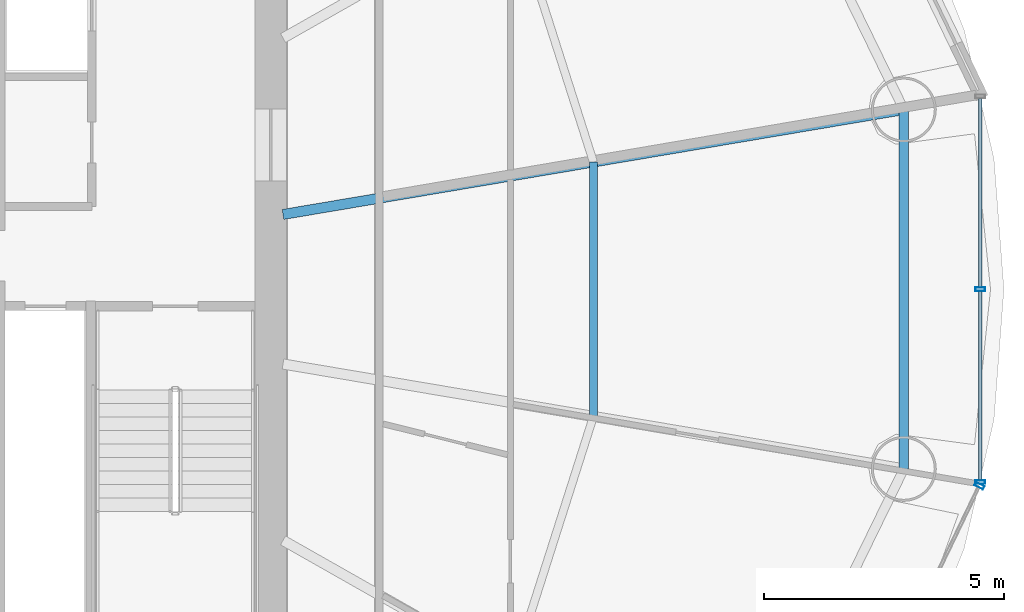
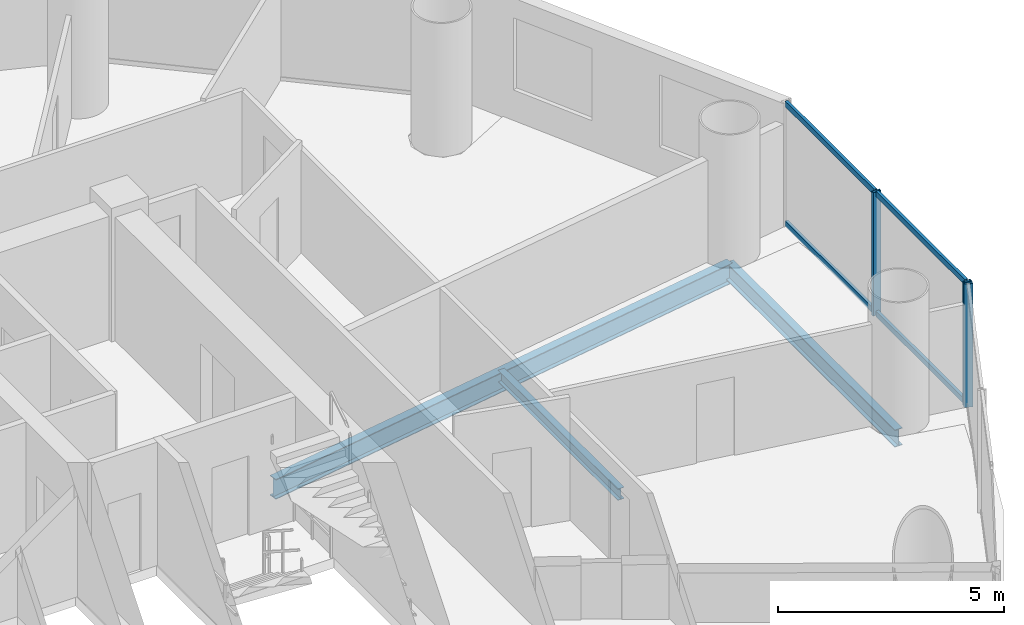
# One storey, part 12 of 26: 7 members, 3 beams, 2 elements without a shape of their own.
"""IFC4 building model written with IfcOpenShell, lengths in metres."""

from ifc_helpers import new_model, si_unit, direction, frame, origin, origin_2d, place, context, subcontext, project, spatial, hollow_rectangle, i_section, extrude, source, transform, mapped, material, material_profile, profile_set, type_object, element, aggregate, save


model = new_model("IFC4")

# Units and contexts
model_context = context("Model", 3, precision=1e-05, world=origin(), true_north=direction((-0.2419218956, 0.970295726276)))
body_context = subcontext(model_context, "Body", "Model", "MODEL_VIEW")
ifc_project = project(units=[si_unit("LENGTHUNIT", "METRE"), si_unit("AREAUNIT", "SQUARE_METRE"), si_unit("VOLUMEUNIT", "CUBIC_METRE"), si_unit("PLANEANGLEUNIT", "RADIAN"), si_unit("MASSUNIT", "GRAM", prefix="KILO")], contexts=[model_context])

# Site, building, storey
site_placement = place(None, origin())
site = spatial("IfcSite", under=ifc_project, at=site_placement, CompositionType="ELEMENT")
building_placement = place(site_placement, origin())
building = spatial("IfcBuilding", under=site, at=building_placement, Name="Cobrevalo Terracotta Tower", CompositionType="ELEMENT")
storey_placement = place(building_placement, frame((0.0, 0.0, 135.39990234375)))
storey = spatial("IfcBuildingStorey", under=building, at=storey_placement, Name="L35", CompositionType="ELEMENT", Elevation=135.39990234375)

# Beams
ifc_material_1 = material(Name="Steel S355", Category="steel")
ifc_material_profile_1 = material_profile(ifc_material_1, i_section(OverallWidth=0.2109375, OverallDepth=0.5390625, WebThickness=0.01171875, FlangeThickness=0.018798828125, at=origin_2d()), Name="W 530x109")
ifc_profile_set_1 = profile_set([ifc_material_profile_1], Name="Steel S355")
beam_type_1 = type_object("IfcBeamType", Name="Structural Beam W 530x109 (Steel S355)", PredefinedType="BEAM", material=ifc_profile_set_1)
beam_1_placement = place(storey_placement, frame((60.11669921875, 30.535888671875, -0.539306640625), z_axis=(-0.986032794282, -0.166551279191, 0.0), x_axis=(0.166551279191, -0.986032794282, 0.0)))
element("IfcBeam", 1, at=beam_1_placement, inside=storey, type_object=beam_type_1, Name="L35 radial floor girder 01", PredefinedType="BEAM", context=body_context, shape_type="SweptSolid", body=[
    extrude(i_section(OverallWidth=0.2109375, OverallDepth=0.5390625, WebThickness=0.01171875, FlangeThickness=0.018798828125, at=origin_2d()), origin(), (0.0, 0.0, 1.0), 13.094482421875),
])
ifc_material_profile_2 = material_profile(ifc_material_1, i_section(OverallWidth=0.1650390625, OverallDepth=0.31005859375, WebThickness=0.005859375, FlangeThickness=0.009765625, at=origin_2d()), Name="W 310x38.7")
ifc_profile_set_2 = profile_set([ifc_material_profile_2], Name="Steel S355")
beam_type_2 = type_object("IfcBeamType", Name="Structural Joist W 310x38.7 (Steel S355)", PredefinedType="JOIST", material=ifc_profile_set_2)
beam_2_placement = place(storey_placement, frame((53.660888671875, 24.154541015625, -0.4248046875), z_axis=(0.0, 1.0, 0.0), x_axis=(-1.0, 0.0, 0.0)))
element("IfcBeam", 2, at=beam_2_placement, inside=storey, type_object=beam_type_2, Name="L35 circumferential secondary floor joist 16", PredefinedType="JOIST", context=body_context, shape_type="SweptSolid", body=[
    extrude(i_section(OverallWidth=0.1650390625, OverallDepth=0.31005859375, WebThickness=0.005859375, FlangeThickness=0.009765625, at=origin_2d()), origin(), (0.0, 0.0, 1.0), 5.291015625),
])
ifc_material_profile_3 = material_profile(ifc_material_1, i_section(OverallWidth=0.194091796875, OverallDepth=0.468994140625, WebThickness=0.011474609375, FlangeThickness=0.0205078125, at=origin_2d()), Name="W 460x106")
ifc_profile_set_3 = profile_set([ifc_material_profile_3], Name="Steel S355")
beam_type_3 = type_object("IfcBeamType", Name="Structural Spandrel W 460x106 (Steel S355)", PredefinedType="SPANDREL", material=ifc_profile_set_3)
beam_3_placement = place(storey_placement, frame((60.11669921875, 23.06396484375, -0.50439453125), z_axis=(0.0, 1.0, 0.0), x_axis=(-1.0, 0.0, 0.0)))
element("IfcBeam", 3, at=beam_3_placement, inside=storey, type_object=beam_type_3, Name="L35 perimeter ring spandrel 16", PredefinedType="SPANDREL", context=body_context, shape_type="SweptSolid", body=[
    extrude(i_section(OverallWidth=0.194091796875, OverallDepth=0.468994140625, WebThickness=0.011474609375, FlangeThickness=0.0205078125, at=origin_2d()), origin(), (0.0, 0.0, 1.0), 7.471923828125),
])

# Curtain wall, member
ifc_material_2 = material(Name="Anodized aluminium", Category="aluminium")
curtain_wall_type = type_object("IfcCurtainWallType", Name="Mid-tower high-wind unitised curtain wall CW-U2", PredefinedType="NOTDEFINED", material=ifc_material_2)
curtain_wall_1_placement = place(storey_placement, origin())
curtain_wall_1 = element("IfcCurtainWall", 4, at=curtain_wall_1_placement, inside=storey, type_object=curtain_wall_type, Name="L35 curtain wall CW-L35-S15", PredefinedType="NOTDEFINED")
ifc_material_profile_4 = material_profile(ifc_material_2, hollow_rectangle(XDim=0.074951171875, YDim=0.199951171875, WallThickness=0.0048828125, at=origin_2d()), Name="CWM 75x200")
ifc_profile_set_4 = profile_set([ifc_material_profile_4], Name="Anodized aluminium")
member_type_1 = type_object("IfcMemberType", Name="Lower/mid tower unitised mullion 75x200", PredefinedType="MULLION", material=ifc_profile_set_4)
shared_shape_1 = source(origin(), body_context, "Body", "SweptSolid", [
    extrude(hollow_rectangle(XDim=0.074951171875, YDim=0.199951171875, WallThickness=0.0048828125, at=origin_2d()), origin(), (0.0, 0.0, 1.0), 3.330078125),
])
member_1_placement = place(storey_placement, frame((61.688232421875, 22.7119140625, 0.0), z_axis=(0.0, 0.0, 1.0), x_axis=(0.434209440271, 0.900811945957, 0.0)))
member_1 = element("IfcMember", 5, at=member_1_placement, type_object=member_type_1, Name="CW-L35-S15 vertical mullion 03", PredefinedType="MULLION", context=body_context, shape_type="MappedRepresentation", body=[
    mapped(shared_shape_1, transform((0.0, 0.0, 0.0), scale=1.0)),
])
aggregate(curtain_wall_1, [member_1])

# Curtain wall, members
curtain_wall_2_placement = place(storey_placement, origin())
curtain_wall_2 = element("IfcCurtainWall", 6, at=curtain_wall_2_placement, inside=storey, type_object=curtain_wall_type, Name="L35 curtain wall CW-L35-S16", PredefinedType="NOTDEFINED")
member_2_placement = place(storey_placement, frame((61.70556640625, 22.7880859375, 0.0), z_axis=(0.0, 0.0, 1.0), x_axis=(0.0, 1.0, 0.0)))
member_2 = element("IfcMember", 7, at=member_2_placement, type_object=member_type_1, Name="CW-L35-S16 vertical mullion 01", PredefinedType="MULLION", context=body_context, shape_type="MappedRepresentation", body=[
    mapped(shared_shape_1, transform((0.0, 0.0, 0.0), scale=1.0)),
])
member_3_placement = place(storey_placement, frame((61.70556640625, 26.800048828125, 0.0), z_axis=(0.0, 0.0, 1.0), x_axis=(0.0, 1.0, 0.0)))
member_3 = element("IfcMember", 8, at=member_3_placement, type_object=member_type_1, Name="CW-L35-S16 vertical mullion 02", PredefinedType="MULLION", context=body_context, shape_type="MappedRepresentation", body=[
    mapped(shared_shape_1, transform((0.0, 0.0, 0.0), scale=1.0)),
])
ifc_material_profile_5 = material_profile(ifc_material_2, hollow_rectangle(XDim=0.074951171875, YDim=0.14990234375, WallThickness=0.00439453125, at=origin_2d()), Name="CWT 75x150")
ifc_profile_set_5 = profile_set([ifc_material_profile_5], Name="Anodized aluminium")
member_type_2 = type_object("IfcMemberType", Name="Tower unitised aluminium transom 75x150", PredefinedType="USERDEFINED", material=ifc_profile_set_5)
shared_shape_2 = source(origin(), body_context, "Body", "SweptSolid", [
    extrude(hollow_rectangle(XDim=0.074951171875, YDim=0.14990234375, WallThickness=0.00439453125, at=origin_2d()), origin(), (0.0, 0.0, 1.0), 3.931884765625),
])
member_4_placement = place(storey_placement, frame((61.70556640625, 26.840087890625, 0.050048828125), z_axis=(0.0, 1.0, 0.0), x_axis=(-1.0, 0.0, 0.0)))
member_4 = element("IfcMember", 9, at=member_4_placement, type_object=member_type_2, Name="CW-L35-S16 transom B02-T1", ObjectType="TRANSOM", PredefinedType="USERDEFINED", context=body_context, shape_type="MappedRepresentation", body=[
    mapped(shared_shape_2, transform((0.0, 0.0, 0.0), scale=1.0)),
])
member_5_placement = place(storey_placement, frame((61.70556640625, 26.840087890625, 3.280029296875), z_axis=(0.0, 1.0, 0.0), x_axis=(-1.0, 0.0, 0.0)))
member_5 = element("IfcMember", 10, at=member_5_placement, type_object=member_type_2, Name="CW-L35-S16 transom B02-T2", ObjectType="TRANSOM", PredefinedType="USERDEFINED", context=body_context, shape_type="MappedRepresentation", body=[
    mapped(shared_shape_2, transform((0.0, 0.0, 0.0), scale=1.0)),
])
shared_shape_3 = source(origin(), body_context, "Body", "SweptSolid", [
    extrude(hollow_rectangle(XDim=0.074951171875, YDim=0.14990234375, WallThickness=0.00439453125, at=origin_2d()), origin(), (0.0, 0.0, 1.0), 3.93212890625),
])
member_6_placement = place(storey_placement, frame((61.70556640625, 22.827880859375, 0.050048828125), z_axis=(0.0, 1.0, 0.0), x_axis=(-1.0, 0.0, 0.0)))
member_6 = element("IfcMember", 11, at=member_6_placement, type_object=member_type_2, Name="CW-L35-S16 transom B01-T1", ObjectType="TRANSOM", PredefinedType="USERDEFINED", context=body_context, shape_type="MappedRepresentation", body=[
    mapped(shared_shape_3, transform((0.0, 0.0, 0.0), scale=1.0)),
])
member_7_placement = place(storey_placement, frame((61.70556640625, 22.827880859375, 3.280029296875), z_axis=(0.0, 1.0, 0.0), x_axis=(-1.0, 0.0, 0.0)))
member_7 = element("IfcMember", 12, at=member_7_placement, type_object=member_type_2, Name="CW-L35-S16 transom B01-T2", ObjectType="TRANSOM", PredefinedType="USERDEFINED", context=body_context, shape_type="MappedRepresentation", body=[
    mapped(shared_shape_3, transform((0.0, 0.0, 0.0), scale=1.0)),
])
aggregate(curtain_wall_2, [member_2, member_3, member_6, member_7, member_4, member_5])

save(model, "model.ifc")
